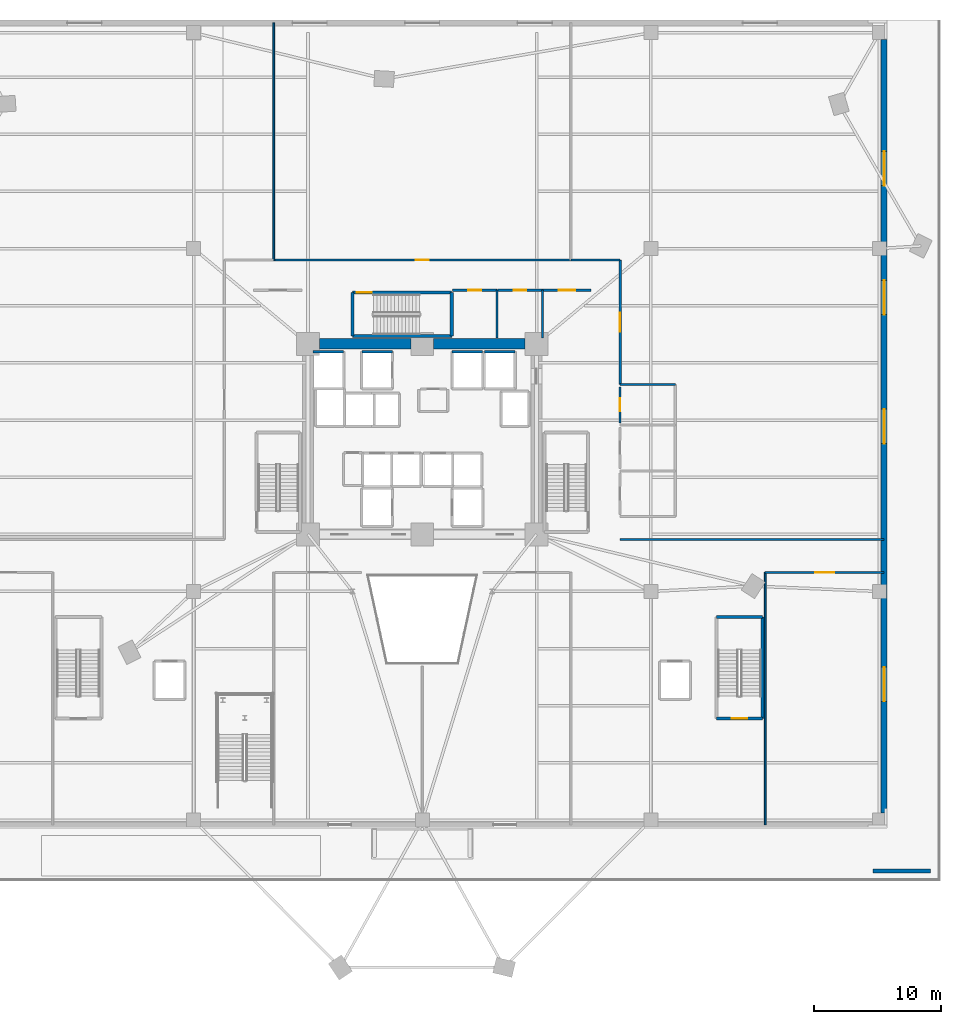
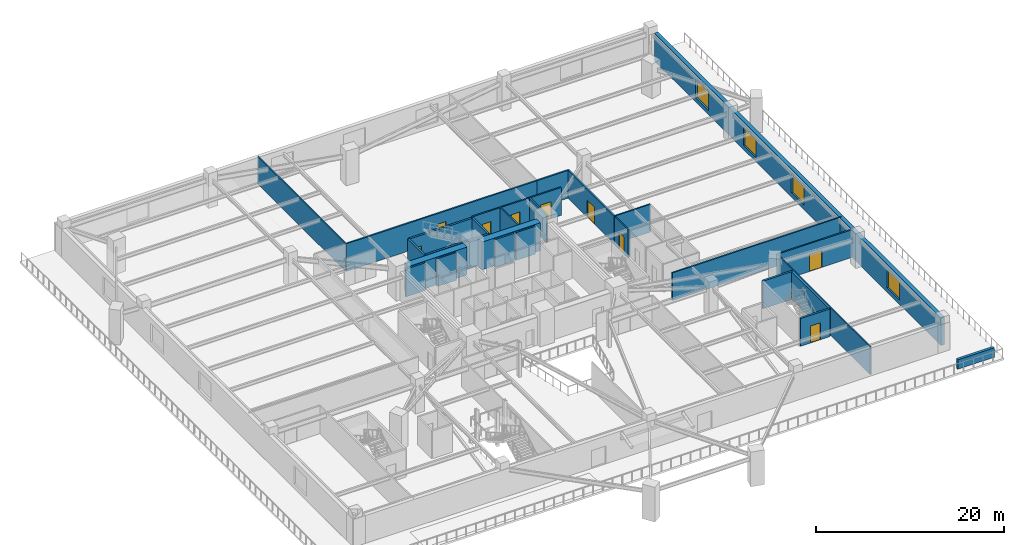
# One storey, part 10 of 19: 29 walls, 9 doors, 4 windows, 13 openings.
"""IFC4 building model written with IfcOpenShell, lengths in metres."""

from ifc_helpers import new_model, si_unit, direction, frame, frame_2d, origin, place, context, subcontext, project, spatial, rectangle, extrude, source, transform, mapped, material, layer, layer_set, type_object, element, fill, save


model = new_model("IFC4")

# Units and contexts
model_context = context("Model", 3, precision=1e-05, world=origin(), true_north=direction((0.0, 1.0)))
body_context = subcontext(model_context, "Body", "Model", "MODEL_VIEW")
ifc_project = project(units=[si_unit("LENGTHUNIT", "METRE"), si_unit("AREAUNIT", "SQUARE_METRE"), si_unit("VOLUMEUNIT", "CUBIC_METRE"), si_unit("PLANEANGLEUNIT", "RADIAN"), si_unit("MASSUNIT", "GRAM", prefix="KILO")], contexts=[model_context])

# Site, building, storey
site_placement = place(None, origin())
site = spatial("IfcSite", under=ifc_project, at=site_placement, CompositionType="ELEMENT")
building_placement = place(site_placement, origin())
building = spatial("IfcBuilding", under=site, at=building_placement, Name="Liaohun Quay Tower", CompositionType="ELEMENT")
storey_placement = place(building_placement, frame((0.0, 0.0, 18.89990234375)))
storey = spatial("IfcBuildingStorey", under=building, at=storey_placement, Name="L05", CompositionType="ELEMENT", Elevation=18.89990234375)

# Walls
ifc_material_1 = material(Name="Concrete C60", Category="concrete")
ifc_layer_1 = layer(ifc_material_1, 0.85009765625, Name="Concrete C60", Category="concrete")
ifc_layer_set_1 = layer_set([ifc_layer_1], Name="Concrete C60")
wall_type_1 = type_object("IfcWallType", Name="WAL-COR-Z1", PredefinedType="SHEAR", material=ifc_layer_set_1)
for number, where, z_axis, x_axis, name in (
    (1, (51.89990234375, 61.5, 0.0), (0.0, 0.0, 1.0), (1.0, 0.0, 0.0), "L05 Central Core Shear Wall N-W"),
    (2, (60.89990234375, 61.5, 0.0), (0.0, 0.0, 1.0), (1.0, 0.0, 0.0), "L05 Central Core Shear Wall N-E"),
):
    element("IfcWall", number, at=place(storey_placement, frame(where, z_axis=z_axis, x_axis=x_axis)), inside=storey, type_object=wall_type_1, Name=name, PredefinedType="SHEAR", context=body_context, shape_type="SweptSolid", body=[
        extrude(rectangle(XDim=7.2001953125, YDim=0.85009765625, at=frame_2d((3.60009765625, 0.0))), origin(), (0.0, 0.0, 1.0), 3.60009765625),
    ])

# Wall, openings, windows
ifc_material_2 = material(Name="Precast concrete C50 with granite facing", Category="masonry")
ifc_layer_2 = layer(ifc_material_2, 0.4599609375, Name="Precast concrete C50 with granite facing", Category="masonry")
ifc_layer_set_2 = layer_set([ifc_layer_2], Name="Precast concrete C50 with granite facing")
wall_type_2 = type_object("IfcWallType", Name="WAL-EXT-POD", PredefinedType="SOLIDWALL", material=ifc_layer_set_2)
wall_1_placement = place(storey_placement, frame((96.3701171875, 24.5400390625, 0.0), z_axis=(0.0, 0.0, 1.0), x_axis=(0.0, 1.0, 0.0)))
wall_1 = element("IfcWall", 3, at=wall_1_placement, inside=storey, type_object=wall_type_2, Name="L05 Podium Precast Facade Wall 01", PredefinedType="SOLIDWALL", context=body_context, shape_type="SweptSolid", body=[
    extrude(rectangle(XDim=60.919921875, YDim=0.4599609375, at=frame_2d((30.4599609375, 0.0))), origin(), (0.0, 0.0, 1.0), 3.60009765625),
])
shared_shape_1 = source(origin(), body_context, "Body", "SweptSolid", [
    extrude(rectangle(XDim=2.699951171875, YDim=2.35009765625, at=frame_2d((1.35009765625, 1.175048828125))), frame((0.0, 0.239990234375, 0.0), z_axis=(0.0, -1.0, 0.0), x_axis=(1.0, 0.0, 0.0)), (0.0, 0.0, 1.0), 0.47998046875),
])
opening_1_placement = place(wall_1_placement, frame((8.802978515625, 0.0, 0.550048828125)))
opening_1 = element("IfcOpeningElement", 4, at=opening_1_placement, cuts=wall_1, Name="Opening W06", PredefinedType="OPENING", context=body_context, shape_type="MappedRepresentation", body=[
    mapped(shared_shape_1, transform((0.0, 0.0, 0.0), x_axis=(1.0, 0.0, 0.0), y_axis=(0.0, 1.0, 0.0), z_axis=(0.0, 0.0, 1.0), scale=1.0)),
])
opening_2_placement = place(wall_1_placement, frame((29.110107421875, 0.0, 0.550048828125)))
opening_2 = element("IfcOpeningElement", 5, at=opening_2_placement, cuts=wall_1, Name="Opening W06", PredefinedType="OPENING", context=body_context, shape_type="MappedRepresentation", body=[
    mapped(shared_shape_1, transform((0.0, 0.0, 0.0), x_axis=(1.0, 0.0, 0.0), y_axis=(0.0, 1.0, 0.0), z_axis=(0.0, 0.0, 1.0), scale=1.0)),
])
opening_3_placement = place(wall_1_placement, frame((39.262939453125, 0.0, 0.550048828125)))
opening_3 = element("IfcOpeningElement", 6, at=opening_3_placement, cuts=wall_1, Name="Opening W06", PredefinedType="OPENING", context=body_context, shape_type="MappedRepresentation", body=[
    mapped(shared_shape_1, transform((0.0, 0.0, 0.0), x_axis=(1.0, 0.0, 0.0), y_axis=(0.0, 1.0, 0.0), z_axis=(0.0, 0.0, 1.0), scale=1.0)),
])
opening_4_placement = place(wall_1_placement, frame((49.4169921875, 0.0, 0.550048828125)))
opening_4 = element("IfcOpeningElement", 7, at=opening_4_placement, cuts=wall_1, Name="Opening W06", PredefinedType="OPENING", context=body_context, shape_type="MappedRepresentation", body=[
    mapped(shared_shape_1, transform((0.0, 0.0, 0.0), x_axis=(1.0, 0.0, 0.0), y_axis=(0.0, 1.0, 0.0), z_axis=(0.0, 0.0, 1.0), scale=1.0)),
])
ifc_material_3 = material(Name="Triple Low-E waterfront podium glazing", Category="glass")
window_type = type_object("IfcWindowType", Name="WIN-POD-ARC", PartitioningType="TRIPLE_PANEL_VERTICAL", PredefinedType="WINDOW", material=ifc_material_3)
shared_shape_2 = source(origin(), body_context, "Body", "SweptSolid", [
    extrude(rectangle(XDim=2.699951171875, YDim=2.35009765625, at=frame_2d((1.35009765625, 1.175048828125))), frame((0.0, 0.030029296875, 0.0), z_axis=(0.0, -1.0, 0.0), x_axis=(1.0, 0.0, 0.0)), (0.0, 0.0, 1.0), 0.06005859375),
])
window_1_placement = place(opening_1_placement, origin())
window_1 = element("IfcWindow", 8, at=window_1_placement, inside=storey, type_object=window_type, Name="L05 Podium Punched Window W06-01-01", OverallHeight=2.35009765625, OverallWidth=2.699951171875, PartitioningType="TRIPLE_PANEL_VERTICAL", PredefinedType="WINDOW", context=body_context, shape_type="MappedRepresentation", body=[
    mapped(shared_shape_2, transform((0.0, 0.0, 0.0), x_axis=(1.0, 0.0, 0.0), y_axis=(0.0, 1.0, 0.0), z_axis=(0.0, 0.0, 1.0), scale=1.0)),
])
fill(opening_1, window_1)
window_2_placement = place(opening_2_placement, origin())
window_2 = element("IfcWindow", 9, at=window_2_placement, inside=storey, type_object=window_type, Name="L05 Podium Punched Window W06-01-03", OverallHeight=2.35009765625, OverallWidth=2.699951171875, PartitioningType="TRIPLE_PANEL_VERTICAL", PredefinedType="WINDOW", context=body_context, shape_type="MappedRepresentation", body=[
    mapped(shared_shape_2, transform((0.0, 0.0, 0.0), x_axis=(1.0, 0.0, 0.0), y_axis=(0.0, 1.0, 0.0), z_axis=(0.0, 0.0, 1.0), scale=1.0)),
])
fill(opening_2, window_2)
window_3_placement = place(opening_3_placement, origin())
window_3 = element("IfcWindow", 10, at=window_3_placement, inside=storey, type_object=window_type, Name="L05 Podium Punched Window W06-01-04", OverallHeight=2.35009765625, OverallWidth=2.699951171875, PartitioningType="TRIPLE_PANEL_VERTICAL", PredefinedType="WINDOW", context=body_context, shape_type="MappedRepresentation", body=[
    mapped(shared_shape_2, transform((0.0, 0.0, 0.0), x_axis=(1.0, 0.0, 0.0), y_axis=(0.0, 1.0, 0.0), z_axis=(0.0, 0.0, 1.0), scale=1.0)),
])
fill(opening_3, window_3)
window_4_placement = place(opening_4_placement, origin())
window_4 = element("IfcWindow", 11, at=window_4_placement, inside=storey, type_object=window_type, Name="L05 Podium Punched Window W06-01-05", OverallHeight=2.35009765625, OverallWidth=2.699951171875, PartitioningType="TRIPLE_PANEL_VERTICAL", PredefinedType="WINDOW", context=body_context, shape_type="MappedRepresentation", body=[
    mapped(shared_shape_2, transform((0.0, 0.0, 0.0), x_axis=(1.0, 0.0, 0.0), y_axis=(0.0, 1.0, 0.0), z_axis=(0.0, 0.0, 1.0), scale=1.0)),
])
fill(opening_4, window_4)

# Wall
ifc_material_4 = material(Name="Precast concrete C50", Category="concrete")
ifc_layer_3 = layer(ifc_material_4, 0.320068359375, Name="Precast concrete C50", Category="concrete")
ifc_layer_set_3 = layer_set([ifc_layer_3], Name="Precast concrete C50")
wall_type_3 = type_object("IfcWallType", Name="WAL-PAR-320", PredefinedType="PARAPET", material=ifc_layer_set_3)
wall_2_placement = place(storey_placement, frame((95.5, 20.0, 0.0), z_axis=(0.0, 0.0, 1.0), x_axis=(1.0, 0.0, 0.0)))
element("IfcWall", 12, at=wall_2_placement, inside=storey, type_object=wall_type_3, Name="L05 Terrace Corner Parapet Wall PW-1-2", PredefinedType="PARAPET", context=body_context, shape_type="SweptSolid", body=[
    extrude(rectangle(XDim=4.5, YDim=0.320068359375, at=frame_2d((2.25, 0.0))), origin(), (0.0, 0.0, 1.0), 1.22021484375),
])

# Wall, opening, door
ifc_material_5 = material(Name="Autoclaved aerated concrete blockwork", Category="masonry")
ifc_layer_4 = layer(ifc_material_5, 0.179931640625, Name="Autoclaved aerated concrete blockwork", Category="masonry")
ifc_layer_set_4 = layer_set([ifc_layer_4], Name="Autoclaved aerated concrete blockwork")
wall_type_4 = type_object("IfcWallType", Name="WAL-PRT-COR", PredefinedType="PARTITIONING", material=ifc_layer_set_4)
wall_3_placement = place(storey_placement, frame((62.389892578125, 65.719970703125, 0.0), z_axis=(0.0, 0.0, 1.0), x_axis=(1.0, 0.0, 0.0)))
wall_3 = element("IfcWall", 13, at=wall_3_placement, inside=storey, type_object=wall_type_4, Name="L05 Interior Partition Wall 006", PredefinedType="PARTITIONING", context=body_context, shape_type="SweptSolid", body=[
    extrude(rectangle(XDim=3.489990234375, YDim=0.179931640625, at=frame_2d((1.7451171875, 0.0))), origin(), (0.0, 0.0, 1.0), 3.60009765625),
])
shared_shape_3 = source(origin(), body_context, "Body", "SweptSolid", [
    extrude(rectangle(XDim=1.0, YDim=2.199951171875, at=frame_2d((0.5, 1.10009765625))), frame((0.0, 0.099853515625, 0.0), z_axis=(0.0, -1.0, 0.0), x_axis=(1.0, 0.0, 0.0)), (0.0, 0.0, 1.0), 0.199951171875),
])
opening_5_placement = place(wall_3_placement, frame((1.2451171875, 0.0, 0.0)))
opening_5 = element("IfcOpeningElement", 14, at=opening_5_placement, cuts=wall_3, Name="Opening OD1", PredefinedType="OPENING", context=body_context, shape_type="MappedRepresentation", body=[
    mapped(shared_shape_3, transform((0.0, 0.0, 0.0), x_axis=(1.0, 0.0, 0.0), y_axis=(0.0, 1.0, 0.0), z_axis=(0.0, 0.0, 1.0), scale=1.0)),
])
ifc_material_6 = material(Name="Solid-core oak veneer timber leaf in steel frame", Category="steel")
door_type_1 = type_object("IfcDoorType", Name="DOR-OFF-1000", OperationType="NOTDEFINED", PredefinedType="DOOR", material=ifc_material_6)
shared_shape_4 = source(origin(), body_context, "Body", "SweptSolid", [
    extrude(rectangle(XDim=1.0, YDim=2.199951171875, at=frame_2d((0.5, 1.10009765625))), frame((0.0, 0.02490234375, 0.0), z_axis=(0.0, -1.0, 0.0), x_axis=(1.0, 0.0, 0.0)), (0.0, 0.0, 1.0), 0.050048828125),
])
door_1_placement = place(opening_5_placement, origin())
door_1 = element("IfcDoor", 15, at=door_1_placement, inside=storey, type_object=door_type_1, Name="L05 Podium Archive Store Door", OperationType="SINGLE_SWING_LEFT", OverallHeight=2.199951171875, OverallWidth=1.0, PredefinedType="DOOR", context=body_context, shape_type="MappedRepresentation", body=[
    mapped(shared_shape_4, transform((0.0, 0.0, 0.0), x_axis=(1.0, 0.0, 0.0), y_axis=(0.0, 1.0, 0.0), z_axis=(0.0, 0.0, 1.0), scale=1.0)),
])
fill(opening_5, door_1)

wall_4_placement = place(storey_placement, frame((65.919921875, 65.719970703125, 0.0), z_axis=(0.0, 0.0, 1.0), x_axis=(1.0, 0.0, 0.0)))
wall_4 = element("IfcWall", 16, at=wall_4_placement, inside=storey, type_object=wall_type_4, Name="L05 Interior Partition Wall 007", PredefinedType="PARTITIONING", context=body_context, shape_type="SweptSolid", body=[
    extrude(rectangle(XDim=3.5400390625, YDim=0.179931640625, at=frame_2d((1.77001953125, 0.0))), origin(), (0.0, 0.0, 1.0), 3.60009765625),
])
opening_6_placement = place(wall_4_placement, frame((1.27001953125, 0.0, 0.0)))
opening_6 = element("IfcOpeningElement", 17, at=opening_6_placement, cuts=wall_4, Name="Opening OD1", PredefinedType="OPENING", context=body_context, shape_type="MappedRepresentation", body=[
    mapped(shared_shape_3, transform((0.0, 0.0, 0.0), x_axis=(1.0, 0.0, 0.0), y_axis=(0.0, 1.0, 0.0), z_axis=(0.0, 0.0, 1.0), scale=1.0)),
])
door_2_placement = place(opening_6_placement, origin())
door_2 = element("IfcDoor", 18, at=door_2_placement, inside=storey, type_object=door_type_1, Name="L05 Podium Pantry Room Door", OperationType="SINGLE_SWING_RIGHT", OverallHeight=2.199951171875, OverallWidth=1.0, PredefinedType="DOOR", context=body_context, shape_type="MappedRepresentation", body=[
    mapped(shared_shape_4, transform((0.0, 0.0, 0.0), x_axis=(1.0, 0.0, 0.0), y_axis=(0.0, 1.0, 0.0), z_axis=(0.0, 0.0, 1.0), scale=1.0)),
])
fill(opening_6, door_2)

wall_5_placement = place(storey_placement, frame((69.4599609375, 65.719970703125, 0.0), z_axis=(0.0, 0.0, 1.0), x_axis=(1.0, 0.0, 0.0)))
wall_5 = element("IfcWall", 19, at=wall_5_placement, inside=storey, type_object=wall_type_4, Name="L05 Interior Partition Wall 009", PredefinedType="PARTITIONING", context=body_context, shape_type="SweptSolid", body=[
    extrude(rectangle(XDim=3.840087890625, YDim=0.179931640625, at=frame_2d((1.919921875, 0.0))), origin(), (0.0, 0.0, 1.0), 3.60009765625),
])
shared_shape_5 = source(origin(), body_context, "Body", "SweptSolid", [
    extrude(rectangle(XDim=1.300048828125, YDim=2.199951171875, at=frame_2d((0.64990234375, 1.10009765625))), frame((0.0, 0.099853515625, 0.0), z_axis=(0.0, -1.0, 0.0), x_axis=(1.0, 0.0, 0.0)), (0.0, 0.0, 1.0), 0.199951171875),
])
opening_7_placement = place(wall_5_placement, frame((1.27001953125, 0.0, 0.0)))
opening_7 = element("IfcOpeningElement", 20, at=opening_7_placement, cuts=wall_5, Name="Opening FD1", PredefinedType="OPENING", context=body_context, shape_type="MappedRepresentation", body=[
    mapped(shared_shape_5, transform((0.0, 0.0, 0.0), x_axis=(1.0, 0.0, 0.0), y_axis=(0.0, 1.0, 0.0), z_axis=(0.0, 0.0, 1.0), scale=1.0)),
])
ifc_material_7 = material(Name="Galvanised steel smokeproof fire door", Category="steel")
door_type_2 = type_object("IfcDoorType", Name="DOR-FFL-1300", OperationType="NOTDEFINED", PredefinedType="DOOR", material=ifc_material_7)
shared_shape_6 = source(origin(), body_context, "Body", "SweptSolid", [
    extrude(rectangle(XDim=1.300048828125, YDim=2.199951171875, at=frame_2d((0.64990234375, 1.10009765625))), frame((0.0, 0.02490234375, 0.0), z_axis=(0.0, -1.0, 0.0), x_axis=(1.0, 0.0, 0.0)), (0.0, 0.0, 1.0), 0.050048828125),
])
door_3_placement = place(opening_7_placement, origin())
door_3 = element("IfcDoor", 21, at=door_3_placement, inside=storey, type_object=door_type_2, Name="L05 Podium East Core Vestibule Door", OperationType="SINGLE_SWING_RIGHT", OverallHeight=2.199951171875, OverallWidth=1.300048828125, PredefinedType="DOOR", context=body_context, shape_type="MappedRepresentation", body=[
    mapped(shared_shape_6, transform((0.0, 0.0, 0.0), x_axis=(1.0, 0.0, 0.0), y_axis=(0.0, 1.0, 0.0), z_axis=(0.0, 0.0, 1.0), scale=1.0)),
])
fill(opening_7, door_3)

wall_6_placement = place(storey_placement, frame((87.0, 43.5, 0.0), z_axis=(0.0, 0.0, 1.0), x_axis=(1.0, 0.0, 0.0)))
wall_6 = element("IfcWall", 22, at=wall_6_placement, inside=storey, type_object=wall_type_4, Name="L05 Interior Partition Wall 013", PredefinedType="PARTITIONING", context=body_context, shape_type="SweptSolid", body=[
    extrude(rectangle(XDim=9.375, YDim=0.179931640625, at=frame_2d((4.6875, 0.0))), origin(), (0.0, 0.0, 1.0), 3.60009765625),
])
shared_shape_7 = source(origin(), body_context, "Body", "SweptSolid", [
    extrude(rectangle(XDim=1.5, YDim=2.199951171875, at=frame_2d((0.75, 1.10009765625))), frame((0.0, 0.099853515625, 0.0), z_axis=(0.0, -1.0, 0.0), x_axis=(1.0, 0.0, 0.0)), (0.0, 0.0, 1.0), 0.199951171875),
])
opening_8_placement = place(wall_6_placement, frame((3.93798828125, 0.0, 0.0)))
opening_8 = element("IfcOpeningElement", 23, at=opening_8_placement, cuts=wall_6, Name="Opening OD2", PredefinedType="OPENING", context=body_context, shape_type="MappedRepresentation", body=[
    mapped(shared_shape_7, transform((0.0, 0.0, 0.0), x_axis=(1.0, 0.0, 0.0), y_axis=(0.0, 1.0, 0.0), z_axis=(0.0, 0.0, 1.0), scale=1.0)),
])
ifc_material_8 = material(Name="Acoustic oak veneer double door")
door_type_3 = type_object("IfcDoorType", Name="DOR-OFF-1500", OperationType="DOUBLE_DOOR_SINGLE_SWING", PredefinedType="DOOR", material=ifc_material_8)
shared_shape_8 = source(origin(), body_context, "Body", "SweptSolid", [
    extrude(rectangle(XDim=1.5, YDim=2.199951171875, at=frame_2d((0.75, 1.10009765625))), frame((0.0, 0.02490234375, 0.0), z_axis=(0.0, -1.0, 0.0), x_axis=(1.0, 0.0, 0.0)), (0.0, 0.0, 1.0), 0.050048828125),
])
door_4_placement = place(opening_8_placement, origin())
door_4 = element("IfcDoor", 24, at=door_4_placement, inside=storey, type_object=door_type_3, Name="L05 Technical Reference Library Door", OperationType="DOUBLE_DOOR_SINGLE_SWING", OverallHeight=2.199951171875, OverallWidth=1.5, PredefinedType="DOOR", context=body_context, shape_type="MappedRepresentation", body=[
    mapped(shared_shape_8, transform((0.0, 0.0, 0.0), x_axis=(1.0, 0.0, 0.0), y_axis=(0.0, 1.0, 0.0), z_axis=(0.0, 0.0, 1.0), scale=1.0)),
])
fill(opening_8, door_4)

wall_7_placement = place(storey_placement, frame((75.580078125, 58.280029296875, 0.0), z_axis=(0.0, 0.0, 1.0), x_axis=(0.0, 1.0, 0.0)))
wall_7 = element("IfcWall", 25, at=wall_7_placement, inside=storey, type_object=wall_type_4, Name="L05 Interior Partition Wall 015", PredefinedType="PARTITIONING", context=body_context, shape_type="SweptSolid", body=[
    extrude(rectangle(XDim=9.820068359375, YDim=0.179931640625, at=frame_2d((4.91015625, 0.0))), origin(), (0.0, 0.0, 1.0), 3.60009765625),
])
opening_9_placement = place(wall_7_placement, frame((4.159912109375, 0.0, 0.0)))
opening_9 = element("IfcOpeningElement", 26, at=opening_9_placement, cuts=wall_7, Name="Opening OD2", PredefinedType="OPENING", context=body_context, shape_type="MappedRepresentation", body=[
    mapped(shared_shape_7, transform((0.0, 0.0, 0.0), x_axis=(1.0, 0.0, 0.0), y_axis=(0.0, 1.0, 0.0), z_axis=(0.0, 0.0, 1.0), scale=1.0)),
])
door_5_placement = place(opening_9_placement, origin())
door_5 = element("IfcDoor", 27, at=door_5_placement, inside=storey, type_object=door_type_3, Name="L05 Quiet Study Room Door", OperationType="DOUBLE_DOOR_SINGLE_SWING", OverallHeight=2.199951171875, OverallWidth=1.5, PredefinedType="DOOR", context=body_context, shape_type="MappedRepresentation", body=[
    mapped(shared_shape_8, transform((0.0, 0.0, 0.0), x_axis=(1.0, 0.0, 0.0), y_axis=(0.0, 1.0, 0.0), z_axis=(0.0, 0.0, 1.0), scale=1.0)),
])
fill(opening_9, door_5)

wall_8_placement = place(storey_placement, frame((48.300048828125, 68.10009765625, 0.0), z_axis=(0.0, 0.0, 1.0), x_axis=(1.0, 0.0, 0.0)))
wall_8 = element("IfcWall", 28, at=wall_8_placement, inside=storey, type_object=wall_type_4, Name="L05 Interior Partition Wall 016", PredefinedType="PARTITIONING", context=body_context, shape_type="SweptSolid", body=[
    extrude(rectangle(XDim=23.39990234375, YDim=0.179931640625, at=frame_2d((11.699951171875, 0.0))), origin(), (0.0, 0.0, 1.0), 3.60009765625),
])
opening_10_placement = place(wall_8_placement, frame((11.199951171875, 0.0, 0.0)))
opening_10 = element("IfcOpeningElement", 29, at=opening_10_placement, cuts=wall_8, Name="Opening OD1", PredefinedType="OPENING", context=body_context, shape_type="MappedRepresentation", body=[
    mapped(shared_shape_3, transform((0.0, 0.0, 0.0), x_axis=(1.0, 0.0, 0.0), y_axis=(0.0, 1.0, 0.0), z_axis=(0.0, 0.0, 1.0), scale=1.0)),
])
door_6_placement = place(opening_10_placement, origin())
door_6 = element("IfcDoor", 30, at=door_6_placement, inside=storey, type_object=door_type_1, Name="L05 Maker Workshop Door", OperationType="SINGLE_SWING_LEFT", OverallHeight=2.199951171875, OverallWidth=1.0, PredefinedType="DOOR", context=body_context, shape_type="MappedRepresentation", body=[
    mapped(shared_shape_4, transform((0.0, 0.0, 0.0), x_axis=(1.0, 0.0, 0.0), y_axis=(0.0, 1.0, 0.0), z_axis=(0.0, 0.0, 1.0), scale=1.0)),
])
fill(opening_10, door_6)

# Walls
wall_9_placement = place(storey_placement, frame((75.580078125, 46.10009765625, 0.0), z_axis=(0.0, 0.0, 1.0), x_axis=(1.0, 0.0, 0.0)))
element("IfcWall", 31, at=wall_9_placement, inside=storey, type_object=wall_type_4, Name="L05 Interior Partition Wall 028", PredefinedType="PARTITIONING", context=body_context, shape_type="SweptSolid", body=[
    extrude(rectangle(XDim=20.794921875, YDim=0.179931640625, at=frame_2d((10.3974609375, 0.0))), origin(), (0.0, 0.0, 1.0), 3.60009765625),
])
wall_10_placement = place(storey_placement, frame((71.699951171875, 68.10009765625, 0.0), z_axis=(0.0, 0.0, 1.0), x_axis=(1.0, 0.0, 0.0)))
element("IfcWall", 32, at=wall_10_placement, inside=storey, type_object=wall_type_4, Name="L05 Interior Partition Wall 030", PredefinedType="PARTITIONING", context=body_context, shape_type="SweptSolid", body=[
    extrude(rectangle(XDim=3.880126953125, YDim=0.179931640625, at=frame_2d((1.93994140625, 0.0))), origin(), (0.0, 0.0, 1.0), 3.60009765625),
])
for number, where, z_axis, x_axis, name in (
    (33, (65.8798828125, 61.949951171875, 0.0), (0.0, 0.0, 1.0), (0.0, 1.0, 0.0), "L05 Interior Partition Wall 038"),
    (34, (69.4599609375, 61.949951171875, 0.0), (0.0, 0.0, 1.0), (0.0, 1.0, 0.0), "L05 Interior Partition Wall 039"),
):
    element("IfcWall", number, at=place(storey_placement, frame(where, z_axis=z_axis, x_axis=x_axis)), inside=storey, type_object=wall_type_4, Name=name, PredefinedType="PARTITIONING", context=body_context, shape_type="SweptSolid", body=[
        extrude(rectangle(XDim=3.77001953125, YDim=0.179931640625, at=frame_2d((1.885009765625, 0.0))), origin(), (0.0, 0.0, 1.0), 3.60009765625),
    ])
ifc_material_9 = material(Name="Gypsum board on twin steel studs", Category="steel")
ifc_layer_5 = layer(ifc_material_9, 0.139892578125, Name="Gypsum board on twin steel studs", Category="steel")
ifc_layer_set_5 = layer_set([ifc_layer_5], Name="Gypsum board on twin steel studs")
wall_type_5 = type_object("IfcWallType", Name="WAL-PRT-OFF", PredefinedType="PARTITIONING", material=ifc_layer_set_5)
wall_11_placement = place(storey_placement, frame((87.0, 23.625, 0.0), z_axis=(0.0, 0.0, 1.0), x_axis=(0.0, 1.0, 0.0)))
element("IfcWall", 35, at=wall_11_placement, inside=storey, type_object=wall_type_5, Name="L05 Interior Partition Wall 032", PredefinedType="PARTITIONING", context=body_context, shape_type="SweptSolid", body=[
    extrude(rectangle(XDim=19.875, YDim=0.139892578125, at=frame_2d((9.9375, 0.0))), origin(), (0.0, 0.0, 1.0), 3.60009765625),
])
wall_12_placement = place(storey_placement, frame((48.300048828125, 68.10009765625, 0.0), z_axis=(0.0, 0.0, 1.0), x_axis=(0.0, 1.0, 0.0)))
element("IfcWall", 36, at=wall_12_placement, inside=storey, type_object=wall_type_5, Name="L05 Interior Partition Wall 036", PredefinedType="PARTITIONING", context=body_context, shape_type="SweptSolid", body=[
    extrude(rectangle(XDim=18.6748046875, YDim=0.139892578125, at=frame_2d((9.33740234375, 0.0))), origin(), (0.0, 0.0, 1.0), 3.60009765625),
])

# Wall, opening, door
ifc_material_10 = material(Name="Moisture-resistant masonry blockwork", Category="masonry")
ifc_layer_6 = layer(ifc_material_10, 0.159912109375, Name="Moisture-resistant masonry blockwork", Category="masonry")
ifc_layer_set_6 = layer_set([ifc_layer_6], Name="Moisture-resistant masonry blockwork")
wall_type_6 = type_object("IfcWallType", Name="WAL-PRT-WET", PredefinedType="PARTITIONING", material=ifc_layer_set_6)
wall_13_placement = place(storey_placement, frame((75.580078125, 55.280029296875, 0.0), z_axis=(0.0, 0.0, 1.0), x_axis=(0.0, 1.0, 0.0)))
wall_13 = element("IfcWall", 37, at=wall_13_placement, inside=storey, type_object=wall_type_6, Name="L05 Interior Partition Wall 005", PredefinedType="PARTITIONING", context=body_context, shape_type="SweptSolid", body=[
    extrude(rectangle(XDim=2.840087890625, YDim=0.159912109375, at=frame_2d((1.419921875, 0.0))), origin(), (0.0, 0.0, 1.0), 3.60009765625),
])
shared_shape_9 = source(origin(), body_context, "Body", "SweptSolid", [
    extrude(rectangle(XDim=1.050048828125, YDim=2.14990234375, at=frame_2d((0.52490234375, 1.074951171875))), frame((0.0, 0.08984375, 0.0), z_axis=(0.0, -1.0, 0.0), x_axis=(1.0, 0.0, 0.0)), (0.0, 0.0, 1.0), 0.179931640625),
])
opening_11_placement = place(wall_13_placement, frame((0.89501953125, 0.0, 0.0)))
opening_11 = element("IfcOpeningElement", 38, at=opening_11_placement, cuts=wall_13, Name="Opening WD2", PredefinedType="OPENING", context=body_context, shape_type="MappedRepresentation", body=[
    mapped(shared_shape_9, transform((0.0, 0.0, 0.0), x_axis=(1.0, 0.0, 0.0), y_axis=(0.0, 1.0, 0.0), z_axis=(0.0, 0.0, 1.0), scale=1.0)),
])
ifc_material_11 = material(Name="Accessible outward-swinging laminate door")
door_type_4 = type_object("IfcDoorType", Name="DOR-AWC-1050", OperationType="NOTDEFINED", PredefinedType="DOOR", material=ifc_material_11)
shared_shape_10 = source(origin(), body_context, "Body", "SweptSolid", [
    extrude(rectangle(XDim=1.050048828125, YDim=2.14990234375, at=frame_2d((0.52490234375, 1.074951171875))), frame((0.0, 0.02490234375, 0.0), z_axis=(0.0, -1.0, 0.0), x_axis=(1.0, 0.0, 0.0)), (0.0, 0.0, 1.0), 0.050048828125),
])
door_7_placement = place(opening_11_placement, origin())
door_7 = element("IfcDoor", 39, at=door_7_placement, inside=storey, type_object=door_type_4, Name="L05 Podium Accessible WC Door", OperationType="SINGLE_SWING_RIGHT", OverallHeight=2.14990234375, OverallWidth=1.050048828125, PredefinedType="DOOR", context=body_context, shape_type="MappedRepresentation", body=[
    mapped(shared_shape_10, transform((0.0, 0.0, 0.0), x_axis=(1.0, 0.0, 0.0), y_axis=(0.0, 1.0, 0.0), z_axis=(0.0, 0.0, 1.0), scale=1.0)),
])
fill(opening_11, door_7)

# Walls
wall_14_placement = place(storey_placement, frame((75.580078125, 58.280029296875, 0.0), z_axis=(0.0, 0.0, 1.0), x_axis=(1.0, 0.0, 0.0)))
element("IfcWall", 40, at=wall_14_placement, inside=storey, type_object=wall_type_6, Name="L05 Interior Partition Wall 026", PredefinedType="PARTITIONING", context=body_context, shape_type="SweptSolid", body=[
    extrude(rectangle(XDim=4.33984375, YDim=0.159912109375, at=frame_2d((2.169921875, 0.0))), origin(), (0.0, 0.0, 1.0), 3.60009765625),
])
ifc_material_12 = material(Name="Concrete C50", Category="concrete")
ifc_layer_7 = layer(ifc_material_12, 0.239990234375, Name="Concrete C50", Category="concrete")
ifc_layer_set_7 = layer_set([ifc_layer_7], Name="Concrete C50")
wall_type_7 = type_object("IfcWallType", Name="WAL-SHF-200", PredefinedType="SOLIDWALL", material=ifc_layer_set_7)
wall_15_placement = place(storey_placement, frame((54.5, 62.10009765625, 0.0), z_axis=(0.0, 0.0, 1.0), x_axis=(1.0, 0.0, 0.0)))
element("IfcWall", 41, at=wall_15_placement, inside=storey, type_object=wall_type_7, Name="L05 Stairwell ST-3 Structural Core Wall S", PredefinedType="SOLIDWALL", context=body_context, shape_type="SweptSolid", body=[
    extrude(rectangle(XDim=7.820068359375, YDim=0.239990234375, at=frame_2d((3.91015625, 0.0))), origin(), (0.0, 0.0, 1.0), 3.60009765625),
])
wall_16_placement = place(storey_placement, frame((62.320068359375, 62.10009765625, 0.0), z_axis=(0.0, 0.0, 1.0), x_axis=(0.0, 1.0, 0.0)))
element("IfcWall", 42, at=wall_16_placement, inside=storey, type_object=wall_type_7, Name="L05 Stairwell ST-3 Structural Core Wall E", PredefinedType="SOLIDWALL", context=body_context, shape_type="SweptSolid", body=[
    extrude(rectangle(XDim=3.43994140625, YDim=0.239990234375, at=frame_2d((1.719970703125, 0.0))), origin(), (0.0, 0.0, 1.0), 3.60009765625),
])

# Wall, opening, door
wall_17_placement = place(storey_placement, frame((62.320068359375, 65.5400390625, 0.0), z_axis=(0.0, 0.0, 1.0), x_axis=(-1.0, 0.0, 0.0)))
wall_17 = element("IfcWall", 43, at=wall_17_placement, inside=storey, type_object=wall_type_7, Name="L05 Stairwell ST-3 Structural Core Wall N", PredefinedType="SOLIDWALL", context=body_context, shape_type="SweptSolid", body=[
    extrude(rectangle(XDim=7.820068359375, YDim=0.239990234375, at=frame_2d((3.91015625, 0.0))), origin(), (0.0, 0.0, 1.0), 3.60009765625),
])
shared_shape_11 = source(origin(), body_context, "Body", "SweptSolid", [
    extrude(rectangle(XDim=1.199951171875, YDim=2.199951171875, at=frame_2d((0.60009765625, 1.10009765625))), frame((0.0, 0.1298828125, 0.0), z_axis=(0.0, -1.0, 0.0), x_axis=(1.0, 0.0, 0.0)), (0.0, 0.0, 1.0), 0.260009765625),
])
opening_12_placement = place(wall_17_placement, frame((6.300048828125, 0.0, 0.0)))
opening_12 = element("IfcOpeningElement", 44, at=opening_12_placement, cuts=wall_17, Name="Opening SD1", PredefinedType="OPENING", context=body_context, shape_type="MappedRepresentation", body=[
    mapped(shared_shape_11, transform((0.0, 0.0, 0.0), x_axis=(1.0, 0.0, 0.0), y_axis=(0.0, 1.0, 0.0), z_axis=(0.0, 0.0, 1.0), scale=1.0)),
])
ifc_material_13 = material(Name="Galvanised steel fire door", Category="steel")
door_type_5 = type_object("IfcDoorType", Name="DOR-STR-1200", OperationType="NOTDEFINED", PredefinedType="DOOR", material=ifc_material_13)
shared_shape_12 = source(origin(), body_context, "Body", "SweptSolid", [
    extrude(rectangle(XDim=1.199951171875, YDim=2.199951171875, at=frame_2d((0.60009765625, 1.10009765625))), frame((0.0, 0.02490234375, 0.0), z_axis=(0.0, -1.0, 0.0), x_axis=(1.0, 0.0, 0.0)), (0.0, 0.0, 1.0), 0.050048828125),
])
door_8_placement = place(opening_12_placement, origin())
door_8 = element("IfcDoor", 45, at=door_8_placement, inside=storey, type_object=door_type_5, Name="L05 Protected Stair ST-3 Fire Door", OperationType="SINGLE_SWING_RIGHT", OverallHeight=2.199951171875, OverallWidth=1.199951171875, PredefinedType="DOOR", context=body_context, shape_type="MappedRepresentation", body=[
    mapped(shared_shape_12, transform((0.0, 0.0, 0.0), x_axis=(1.0, 0.0, 0.0), y_axis=(0.0, 1.0, 0.0), z_axis=(0.0, 0.0, 1.0), scale=1.0)),
])
fill(opening_12, door_8)

# Wall
wall_18_placement = place(storey_placement, frame((54.5, 65.5400390625, 0.0), z_axis=(0.0, 0.0, 1.0), x_axis=(0.0, -1.0, 0.0)))
element("IfcWall", 46, at=wall_18_placement, inside=storey, type_object=wall_type_7, Name="L05 Stairwell ST-3 Structural Core Wall W", PredefinedType="SOLIDWALL", context=body_context, shape_type="SweptSolid", body=[
    extrude(rectangle(XDim=3.43994140625, YDim=0.239990234375, at=frame_2d((1.719970703125, 0.0))), origin(), (0.0, 0.0, 1.0), 3.60009765625),
])

# Wall, opening, door
wall_19_placement = place(storey_placement, frame((83.159912109375, 32.0, 0.0), z_axis=(0.0, 0.0, 1.0), x_axis=(1.0, 0.0, 0.0)))
wall_19 = element("IfcWall", 47, at=wall_19_placement, inside=storey, type_object=wall_type_7, Name="L05 Stairwell ST-P2 Structural Core Wall S", PredefinedType="SOLIDWALL", context=body_context, shape_type="SweptSolid", body=[
    extrude(rectangle(XDim=3.64013671875, YDim=0.239990234375, at=frame_2d((1.820068359375, 0.0))), origin(), (0.0, 0.0, 1.0), 3.60009765625),
])
opening_13_placement = place(wall_19_placement, frame((1.219970703125, 0.0, 0.0)))
opening_13 = element("IfcOpeningElement", 48, at=opening_13_placement, cuts=wall_19, Name="Opening SD1", PredefinedType="OPENING", context=body_context, shape_type="MappedRepresentation", body=[
    mapped(shared_shape_11, transform((0.0, 0.0, 0.0), x_axis=(1.0, 0.0, 0.0), y_axis=(0.0, 1.0, 0.0), z_axis=(0.0, 0.0, 1.0), scale=1.0)),
])
door_9_placement = place(opening_13_placement, origin())
door_9 = element("IfcDoor", 49, at=door_9_placement, inside=storey, type_object=door_type_5, Name="L05 Protected Stair ST-P2 Fire Door", OperationType="SINGLE_SWING_RIGHT", OverallHeight=2.199951171875, OverallWidth=1.199951171875, PredefinedType="DOOR", context=body_context, shape_type="MappedRepresentation", body=[
    mapped(shared_shape_12, transform((0.0, 0.0, 0.0), x_axis=(1.0, 0.0, 0.0), y_axis=(0.0, 1.0, 0.0), z_axis=(0.0, 0.0, 1.0), scale=1.0)),
])
fill(opening_13, door_9)

# Walls
wall_20_placement = place(storey_placement, frame((86.800048828125, 32.0, 0.0), z_axis=(0.0, 0.0, 1.0), x_axis=(0.0, 1.0, 0.0)))
element("IfcWall", 50, at=wall_20_placement, inside=storey, type_object=wall_type_7, Name="L05 Stairwell ST-P2 Structural Core Wall E", PredefinedType="SOLIDWALL", context=body_context, shape_type="SweptSolid", body=[
    extrude(rectangle(XDim=8.0, YDim=0.239990234375, at=frame_2d((4.0, 0.0))), origin(), (0.0, 0.0, 1.0), 3.60009765625),
])
wall_21_placement = place(storey_placement, frame((86.800048828125, 40.0, 0.0), z_axis=(0.0, 0.0, 1.0), x_axis=(-1.0, 0.0, 0.0)))
element("IfcWall", 51, at=wall_21_placement, inside=storey, type_object=wall_type_7, Name="L05 Stairwell ST-P2 Structural Core Wall N", PredefinedType="SOLIDWALL", context=body_context, shape_type="SweptSolid", body=[
    extrude(rectangle(XDim=3.64013671875, YDim=0.239990234375, at=frame_2d((1.820068359375, 0.0))), origin(), (0.0, 0.0, 1.0), 3.60009765625),
])
for number, where, z_axis, x_axis, name in (
    (52, (57.64990234375, 60.8798828125, 0.0), (0.0, 0.0, 1.0), (-1.0, 0.0, 0.0), "L05 Lift FF-03 Hoistway Wall N"),
    (53, (64.75, 60.8798828125, 0.0), (0.0, 0.0, 1.0), (-1.0, 0.0, 0.0), "L05 Lift OB-01 Hoistway Wall N"),
):
    element("IfcWall", number, at=place(storey_placement, frame(where, z_axis=z_axis, x_axis=x_axis)), inside=storey, type_object=wall_type_7, Name=name, PredefinedType="SOLIDWALL", context=body_context, shape_type="SweptSolid", body=[
        extrude(rectangle(XDim=2.39990234375, YDim=0.199951171875, at=frame_2d((1.199951171875, 0.0))), origin(), (0.0, 0.0, 1.0), 3.60009765625),
    ])
for number, where, z_axis, x_axis, name in (
    (54, (67.300048828125, 60.8798828125, 0.0), (0.0, 0.0, 1.0), (-1.0, 0.0, 0.0), "L05 Lift OB-02 Hoistway Wall N"),
    (55, (53.800048828125, 60.8798828125, 0.0), (0.0, 0.0, 1.0), (-1.0, 0.0, 0.0), "L05 Lift SH-01 Hoistway Wall N"),
):
    element("IfcWall", number, at=place(storey_placement, frame(where, z_axis=z_axis, x_axis=x_axis)), inside=storey, type_object=wall_type_7, Name=name, PredefinedType="SOLIDWALL", context=body_context, shape_type="SweptSolid", body=[
        extrude(rectangle(XDim=2.400146484375, YDim=0.199951171875, at=frame_2d((1.2001953125, 0.0))), origin(), (0.0, 0.0, 1.0), 3.60009765625),
    ])

save(model, "model.ifc")
